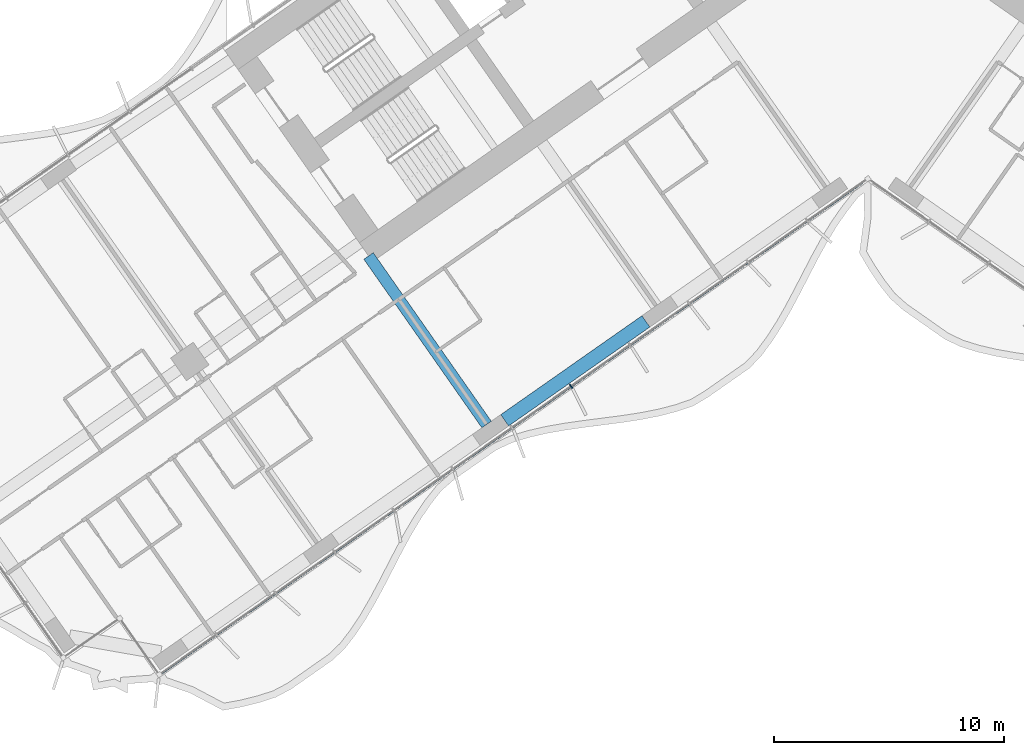
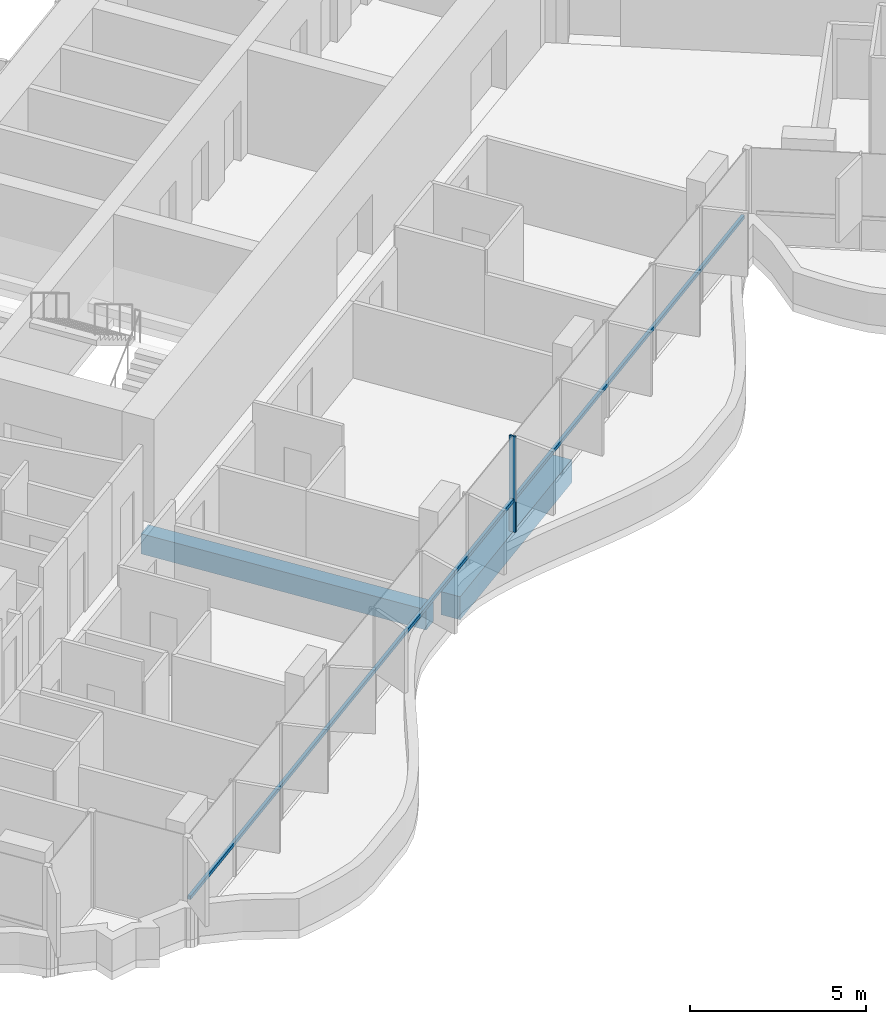
# One storey, part 3 of 24: 2 beams, 2 members, 1 element without a shape of its own.
"""IFC4 building model written with IfcOpenShell, lengths in metres."""

from ifc_helpers import new_model, si_unit, direction, frame, origin, origin_2d, place, context, subcontext, project, spatial, rectangle, extrude, material, material_profile, profile_set, type_object, element, aggregate, save


model = new_model("IFC4")

# Units and contexts
model_context = context("Model", 3, precision=1e-05, world=origin(), true_north=direction((0.0, 1.0)))
body_context = subcontext(model_context, "Body", "Model", "MODEL_VIEW")
ifc_project = project(units=[si_unit("LENGTHUNIT", "METRE"), si_unit("AREAUNIT", "SQUARE_METRE"), si_unit("VOLUMEUNIT", "CUBIC_METRE"), si_unit("PLANEANGLEUNIT", "RADIAN"), si_unit("MASSUNIT", "GRAM", prefix="KILO")], contexts=[model_context])

# Site, building, storey
site_placement = place(None, origin())
site = spatial("IfcSite", under=ifc_project, at=site_placement, CompositionType="ELEMENT")
building_placement = place(site_placement, origin())
building = spatial("IfcBuilding", under=site, at=building_placement, Name="Tel Ilan Convention Tower", CompositionType="ELEMENT")
storey_placement = place(building_placement, frame((0.0, 0.0, 90.5)))
storey = spatial("IfcBuildingStorey", under=building, at=storey_placement, Name="L18", CompositionType="ELEMENT", Elevation=90.5)

# Beams
ifc_material_1 = material(Name="Concrete C40/50", Category="concrete")
ifc_material_profile_1 = material_profile(ifc_material_1, rectangle(XDim=0.5, YDim=0.699951171875, at=origin_2d()), Name="RC 500x700")
ifc_profile_set_1 = profile_set([ifc_material_profile_1], Name="Concrete C40/50")
beam_type_1 = type_object("IfcBeamType", Name="Beam RC 500x700 Concrete C40/50", PredefinedType="BEAM", material=ifc_profile_set_1)
beam_1_placement = place(storey_placement, frame((-16.58203125, -23.391357421875, -0.6298828125), z_axis=(-0.573584999642, 0.819146048141, 0.0), x_axis=(-0.819146048141, -0.573584999642, 0.0)))
element("IfcBeam", 1, at=beam_1_placement, inside=storey, type_object=beam_type_1, Name="L18 beam W-W-F3-core", PredefinedType="BEAM", context=body_context, shape_type="SweptSolid", body=[
    extrude(rectangle(XDim=0.5, YDim=0.699951171875, at=origin_2d()), origin(), (0.0, 0.0, 1.0), 8.949951171875),
])
ifc_material_2 = material(Name="Concrete C40/50", Category="concrete")
ifc_material_profile_2 = material_profile(ifc_material_2, rectangle(XDim=0.60009765625, YDim=0.800048828125, at=origin_2d()), Name="RC 600x800")
ifc_profile_set_2 = profile_set([ifc_material_profile_2], Name="Concrete C40/50")
beam_type_2 = type_object("IfcBeamType", Name="Beam RC 600x800 Concrete C40/50", PredefinedType="BEAM", material=ifc_profile_set_2)
beam_2_placement = place(storey_placement, frame((-9.652099609375, -18.905029296875, -0.679931640625), z_axis=(-0.81915238829, -0.573575945067, 0.0), x_axis=(0.573575945067, -0.81915238829, 0.0)))
element("IfcBeam", 2, at=beam_2_placement, inside=storey, type_object=beam_type_2, Name="L18 beam W-W-F2-W-F3", PredefinedType="BEAM", context=body_context, shape_type="SweptSolid", body=[
    extrude(rectangle(XDim=0.60009765625, YDim=0.800048828125, at=origin_2d()), origin(), (0.0, 0.0, 1.0), 7.5),
])

# Curtain wall, members
ifc_material_3 = material(Name="Aluminium, bronze anodised", Category="aluminium")
curtain_wall_type = type_object("IfcCurtainWallType", Name="CW1 UNITISED CURTAIN WALL, HOTEL TINTED GLASS", PredefinedType="NOTDEFINED", material=ifc_material_3)
curtain_wall_placement = place(storey_placement, origin())
curtain_wall = element("IfcCurtainWall", 3, at=curtain_wall_placement, inside=storey, type_object=curtain_wall_type, Name="Curtain wall CW1-16.02", PredefinedType="NOTDEFINED")
ifc_material_4 = material(Name="Aluminium, bronze anodised", Category="aluminium")
ifc_material_profile_3 = material_profile(ifc_material_4, rectangle(XDim=0.06005859375, YDim=0.199951171875, at=origin_2d()), Name="CW MULLION 60x200")
ifc_profile_set_3 = profile_set([ifc_material_profile_3], Name="Aluminium, bronze anodised")
member_type_1 = type_object("IfcMemberType", Name="CW MULLION 60x200", PredefinedType="MULLION", material=ifc_profile_set_3)
member_1_placement = place(storey_placement, frame((-12.906982421875, -21.733642578125, 0.0), z_axis=(0.0, 0.0, 1.0), x_axis=(0.819152044289, 0.573576436351, 0.0)))
member_1 = element("IfcMember", 4, at=member_1_placement, type_object=member_type_1, Name="Mullion", PredefinedType="MULLION", context=body_context, shape_type="SweptSolid", body=[
    extrude(rectangle(XDim=0.06005859375, YDim=0.199951171875, at=origin_2d()), origin(), (0.0, 0.0, 1.0), 3.320068359375),
])
ifc_material_5 = material(Name="Aluminium, bronze anodised", Category="aluminium")
ifc_material_profile_4 = material_profile(ifc_material_5, rectangle(XDim=0.10009765625, YDim=0.1201171875, at=origin_2d()), Name="CW TRANSOM 100x120")
ifc_profile_set_4 = profile_set([ifc_material_profile_4], Name="Aluminium, bronze anodised")
member_type_2 = type_object("IfcMemberType", Name="CW TRANSOM 100x120", PredefinedType="USERDEFINED", material=ifc_profile_set_4)
member_2_placement = place(storey_placement, frame((-30.73291015625, -34.21533203125, 1.10009765625), z_axis=(0.819152467103, 0.57357583251, 0.0), x_axis=(-0.57357583251, 0.819152467103, 0.0)))
member_2 = element("IfcMember", 5, at=member_2_placement, type_object=member_type_2, Name="Transom", ObjectType="TRANSOM", PredefinedType="USERDEFINED", context=body_context, shape_type="SweptSolid", body=[
    extrude(rectangle(XDim=0.10009765625, YDim=0.1201171875, at=origin_2d()), origin(), (0.0, 0.0, 1.0), 37.247802734375),
])
aggregate(curtain_wall, [member_1, member_2])

save(model, "model.ifc")
